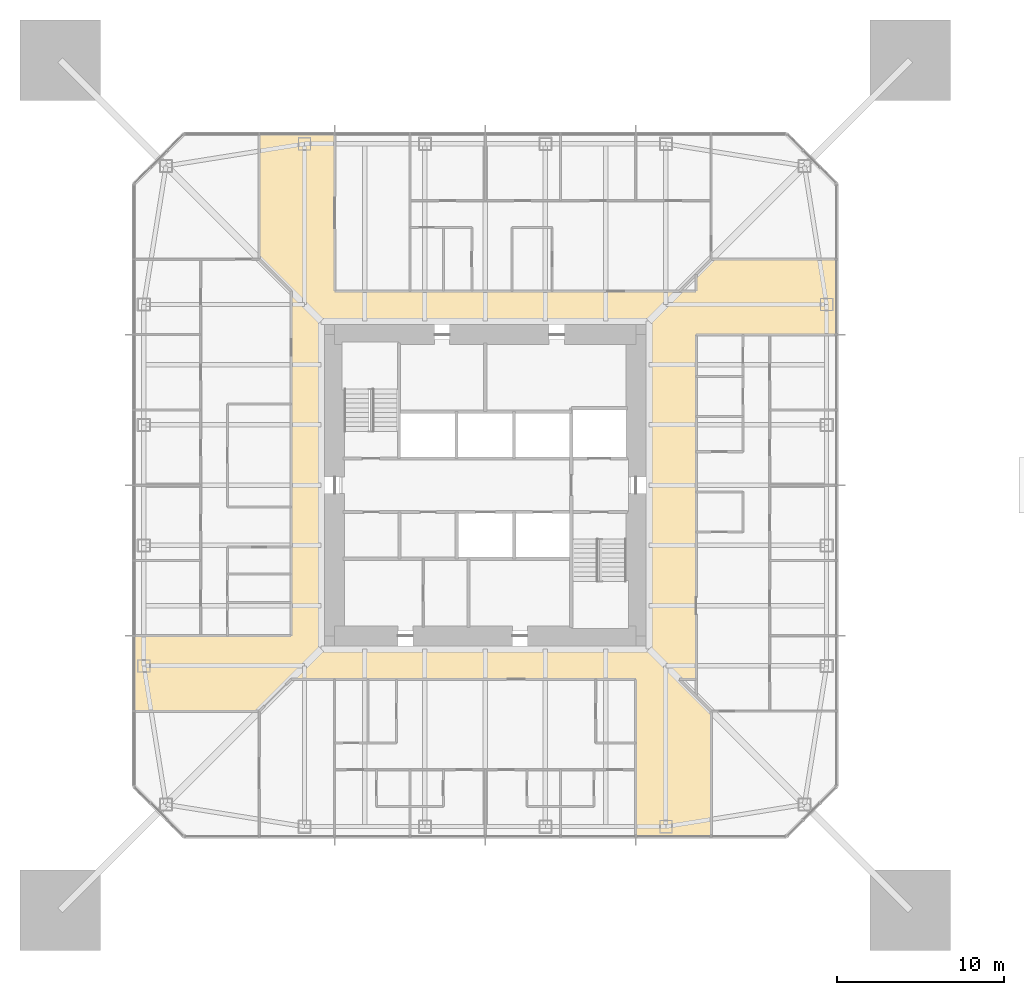
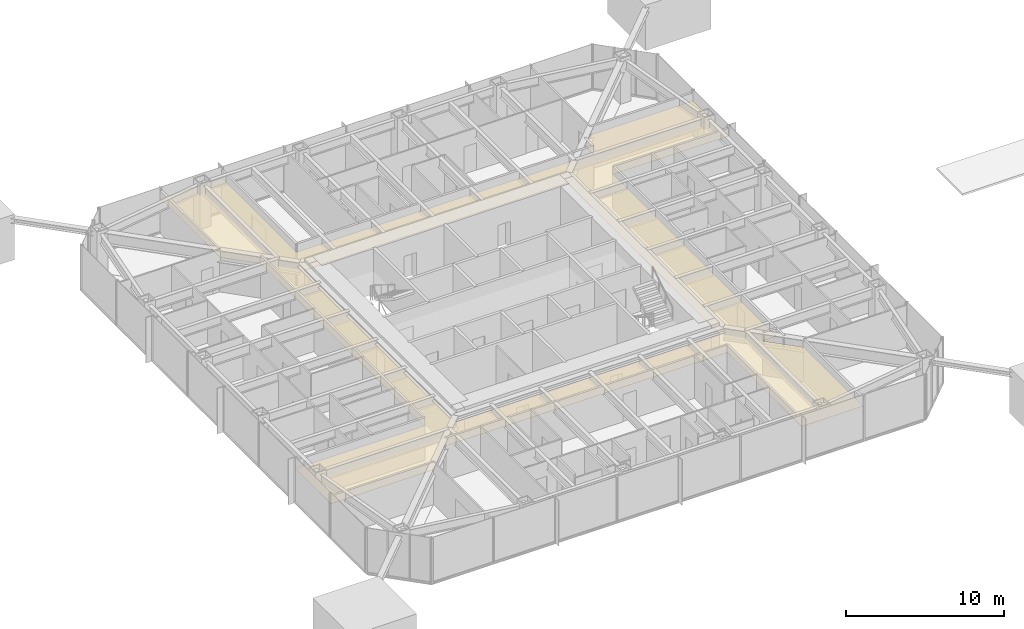
# One storey, part 22 of 25: 1 covering.
"""IFC4 building model written with IfcOpenShell, lengths in metres."""

from ifc_helpers import new_model, si_unit, direction, frame, origin, place, context, subcontext, project, spatial, polyline, outline, extrude, material, layer, layer_set, type_object, element, save


model = new_model("IFC4")

# Units and contexts
model_context = context("Model", 3, precision=1e-05, world=origin(), true_north=direction((0.0, 1.0)))
body_context = subcontext(model_context, "Body", "Model", "MODEL_VIEW")
ifc_project = project(units=[si_unit("LENGTHUNIT", "METRE"), si_unit("AREAUNIT", "SQUARE_METRE"), si_unit("VOLUMEUNIT", "CUBIC_METRE"), si_unit("PLANEANGLEUNIT", "RADIAN"), si_unit("MASSUNIT", "GRAM", prefix="KILO")], contexts=[model_context])

# Site, building, storey
site_placement = place(None, origin())
site = spatial("IfcSite", under=ifc_project, at=site_placement, CompositionType="ELEMENT")
building_placement = place(site_placement, origin())
building = spatial("IfcBuilding", under=site, at=building_placement, Name="Iwan Alto Co-Living Towers", CompositionType="ELEMENT")
storey_placement = place(building_placement, frame((0.0, 0.0, 101.5)))
storey = spatial("IfcBuildingStorey", under=building, at=storey_placement, Name="L27", CompositionType="ELEMENT", Elevation=101.5)

# Covering
ifc_material = material(Name="Gypsum plasterboard on steel grid", Category="steel")
ifc_layer = layer(ifc_material, 0.014892578125)
ifc_layer_set = layer_set([ifc_layer], Name="SUSPENDED PLASTERBOARD CEILING 15")
covering_type = type_object("IfcCoveringType", Name="SUSPENDED PLASTERBOARD CEILING 15", PredefinedType="CEILING", material=ifc_layer_set)
covering_placement = place(storey_placement, frame((0.0, 0.0, 2.60009765625)))
element("IfcCovering", 1, at=covering_placement, inside=storey, type_object=covering_type, Name="Ceiling Corridor L27", PredefinedType="CEILING", context=body_context, shape_type="SweptSolid", body=[
    extrude(outline(polyline([(13.5, -21.0), (9.0, -21.0), (9.0, -11.60009765625), (-11.60009765625, -11.60009765625), (-13.5, -13.5), (-21.0, -13.5), (-21.0, -9.0), (-11.60009765625, -9.0), (-11.60009765625, 11.60009765625), (-13.5, 13.5), (-13.5, 21.0), (-9.0, 21.0), (-9.0, 11.60009765625), (12.60009765625, 11.60009765625), (12.60009765625, 12.60009765625), (13.5, 13.5), (21.0, 13.5), (21.0, 9.0), (12.60009765625, 9.0), (12.60009765625, -11.60009765625), (11.60009765625, -11.60009765625), (13.5, -13.5), (13.5, -21.0)]), holes=[polyline([(9.60009765625, -9.60009765625), (9.60009765625, 9.60009765625), (-9.60009765625, 9.60009765625), (-9.60009765625, -9.60009765625), (9.60009765625, -9.60009765625)])]), origin(), (0.0, 0.0, 1.0), 0.014892578125),
])

save(model, "model.ifc")
